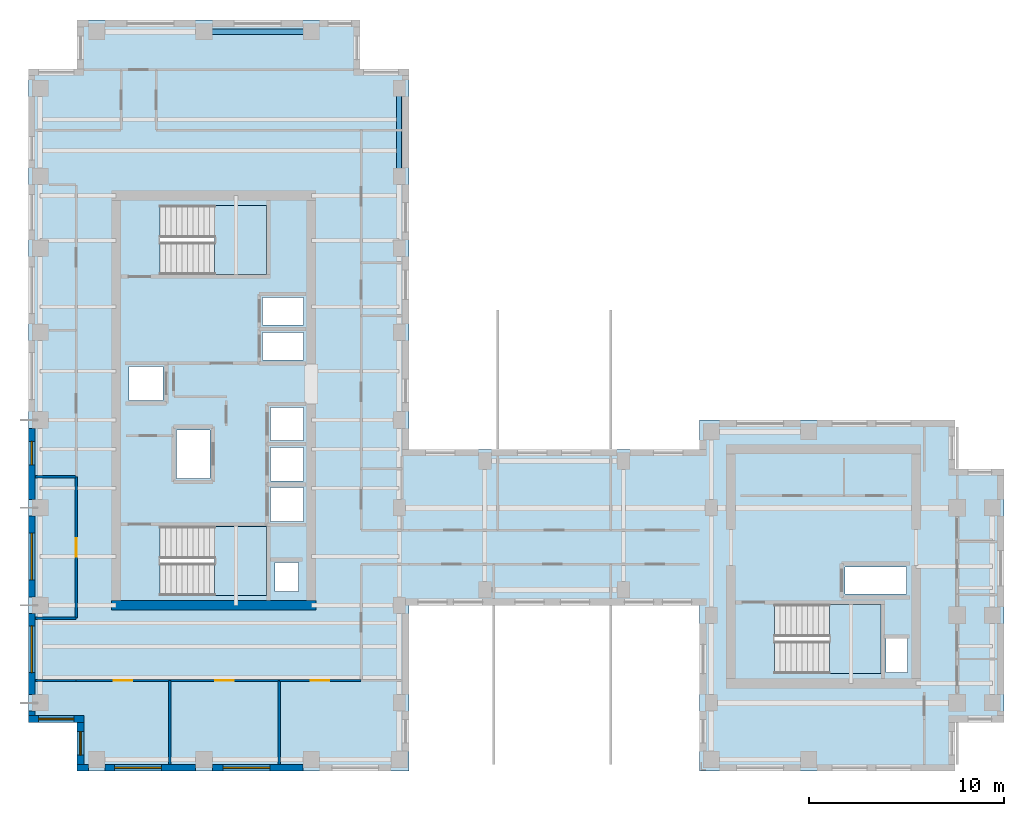
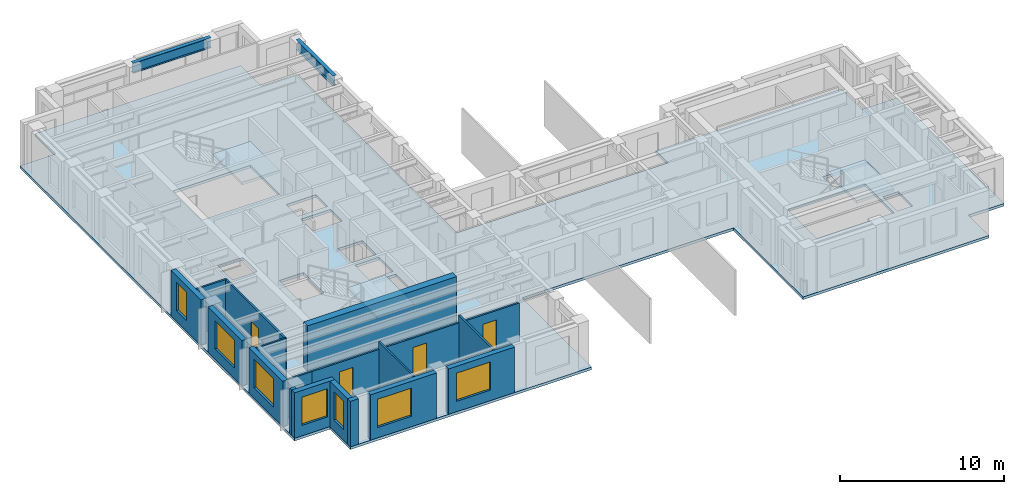
# One storey, part 2 of 10: 19 walls, 7 windows, 4 doors, 4 slabs, 2 beams, 11 openings, 3 elements without a shape of their own.
"""IFC4 building model written with IfcOpenShell, lengths in metres."""

from ifc_helpers import new_model, si_unit, direction, frame, frame_2d, origin, origin_2d, place, context, subcontext, project, spatial, polyline, rectangle, i_section, outline, extrude, source, transform, mapped, material, layer, layer_set, material_profile, profile_set, type_object, element, fill, aggregate, save


model = new_model("IFC4")

# Units and contexts
model_context = context("Model", 3, precision=1e-05, world=origin(), true_north=direction((0.0, 1.0)))
body_context = subcontext(model_context, "Body", "Model", "MODEL_VIEW")
ifc_project = project(units=[si_unit("LENGTHUNIT", "METRE"), si_unit("AREAUNIT", "SQUARE_METRE"), si_unit("VOLUMEUNIT", "CUBIC_METRE"), si_unit("PLANEANGLEUNIT", "RADIAN"), si_unit("MASSUNIT", "GRAM", prefix="KILO")], contexts=[model_context])

# Site, building, storey
site_placement = place(None, origin())
site = spatial("IfcSite", under=ifc_project, at=site_placement, CompositionType="ELEMENT")
building_placement = place(site_placement, origin())
building = spatial("IfcBuilding", under=site, at=building_placement, Name="Kharzan Plaza Tower", CompositionType="ELEMENT")
storey_placement = place(building_placement, frame((0.0, 0.0, 230.39990234375)))
storey = spatial("IfcBuildingStorey", under=building, at=storey_placement, Name="L62", CompositionType="ELEMENT", Elevation=230.39990234375)

# Beams
ifc_material_1 = material(Name="Steel S355", Category="steel")
ifc_material_profile = material_profile(ifc_material_1, i_section(OverallWidth=0.26708984375, OverallDepth=0.76611328125, WebThickness=0.014892578125, FlangeThickness=0.023681640625, at=origin_2d()), Name="W760x185")
ifc_profile_set = profile_set([ifc_material_profile], Name="Steel S355")
beam_type = type_object("IfcBeamType", Name="BM-SP760B", PredefinedType="SPANDREL", material=ifc_profile_set)
shared_shape_1 = source(origin(), body_context, "Body", "SweptSolid", [
    extrude(i_section(OverallWidth=0.26708984375, OverallDepth=0.76611328125, WebThickness=0.014892578125, FlangeThickness=0.023681640625, at=origin_2d()), origin(), (0.0, 0.0, 1.0), 4.5),
])
beam_1_placement = place(storey_placement, frame((19.0, 30.5, 3.01708984375), z_axis=(0.0, 1.0, 0.0), x_axis=(-1.0, 0.0, 0.0)))
element("IfcBeam", 1, at=beam_1_placement, inside=storey, type_object=beam_type, Name="L62 Perimeter Tube Spandrel", PredefinedType="SPANDREL", context=body_context, shape_type="MappedRepresentation", body=[
    mapped(shared_shape_1, transform((0.0, 0.0, 0.0), x_axis=(1.0, 0.0, 0.0), y_axis=(0.0, 1.0, 0.0), z_axis=(0.0, 0.0, 1.0))),
])
shared_shape_2 = source(origin(), body_context, "Body", "SweptSolid", [
    extrude(i_section(OverallWidth=0.26708984375, OverallDepth=0.76611328125, WebThickness=0.014892578125, FlangeThickness=0.023681640625, at=origin_2d()), origin(), (0.0, 0.0, 1.0), 5.5),
])
beam_2_placement = place(storey_placement, frame((9.0, 37.89990234375, 3.01708984375), z_axis=(1.0, 0.0, 0.0), x_axis=(0.0, 1.0, 0.0)))
element("IfcBeam", 2, at=beam_2_placement, inside=storey, type_object=beam_type, Name="L62 Perimeter Tube Spandrel", PredefinedType="SPANDREL", context=body_context, shape_type="MappedRepresentation", body=[
    mapped(shared_shape_2, transform((0.0, 0.0, 0.0), x_axis=(1.0, 0.0, 0.0), y_axis=(0.0, 1.0, 0.0), z_axis=(0.0, 0.0, 1.0))),
])

# Slab
ifc_material_2 = material(Name="Concrete C40/50", Category="concrete")
ifc_layer_1 = layer(ifc_material_2, 0.199951171875)
ifc_layer_set_1 = layer_set([ifc_layer_1], Name="Concrete C40/50")
slab_type_1 = type_object("IfcSlabType", Name="SL-FLOOR-200", PredefinedType="FLOOR", material=ifc_layer_set_1)
slab_1_placement = place(storey_placement, frame((0.0, 0.0, -0.199951171875)))
element("IfcSlab", 3, at=slab_1_placement, inside=storey, type_object=slab_type_1, Name="L62 Composite Structural Floor Slab 200 mm", PredefinedType="FLOOR", context=body_context, shape_type="SweptSolid", body=[
    extrude(outline(polyline([(34.39990234375, 16.5), (19.5, 16.5), (19.5, 36.0), (17.0, 36.0), (17.0, 38.5), (2.5, 38.5), (2.5, 36.0), (0.0, 36.0), (0.0, 2.5), (2.5, 2.5), (2.5, 0.0), (19.5, 0.0), (19.5, 8.5), (34.39990234375, 8.5), (34.39990234375, 0.0), (47.5, 0.0), (47.5, 2.5), (50.0, 2.5), (50.0, 15.5), (47.5, 15.5), (47.5, 18.0), (34.39990234375, 18.0), (34.39990234375, 16.5)]), holes=[polyline([(12.199951171875, 12.550048828125), (6.75, 12.550048828125), (6.75, 9.0), (12.199951171875, 9.0), (12.199951171875, 12.550048828125)]), polyline([(14.10009765625, 12.800048828125), (14.10009765625, 14.530029296875), (12.39990234375, 14.530029296875), (12.39990234375, 12.800048828125), (14.10009765625, 12.800048828125)]), polyline([(9.300048828125, 15.0), (9.300048828125, 17.5), (7.60009765625, 17.5), (7.60009765625, 15.0), (9.300048828125, 15.0)]), polyline([(6.89990234375, 20.72998046875), (5.14990234375, 20.72998046875), (5.14990234375, 19.010009765625), (6.89990234375, 19.010009765625), (6.89990234375, 20.72998046875)]), polyline([(14.10009765625, 21.070068359375), (14.10009765625, 22.489990234375), (12.0, 22.489990234375), (12.0, 21.070068359375), (14.10009765625, 21.070068359375)]), polyline([(14.10009765625, 22.8701171875), (14.10009765625, 24.2900390625), (12.0, 24.2900390625), (12.0, 22.8701171875), (14.10009765625, 22.8701171875)]), polyline([(12.199951171875, 29.0), (6.75, 29.0), (6.75, 25.449951171875), (12.199951171875, 25.449951171875), (12.199951171875, 29.0)]), polyline([(45.050048828125, 5.050048828125), (45.050048828125, 6.800048828125), (43.949951171875, 6.800048828125), (43.949951171875, 5.050048828125), (45.050048828125, 5.050048828125)]), polyline([(43.699951171875, 5.0), (43.699951171875, 8.550048828125), (38.25, 8.550048828125), (38.25, 5.0), (43.699951171875, 5.0)]), polyline([(45.0, 9.070068359375), (45.0, 10.469970703125), (41.85009765625, 10.469970703125), (41.85009765625, 9.070068359375), (45.0, 9.070068359375)]), polyline([(13.85009765625, 9.199951171875), (13.85009765625, 10.699951171875), (12.64990234375, 10.699951171875), (12.64990234375, 9.199951171875), (13.85009765625, 9.199951171875)]), polyline([(14.10009765625, 14.8701171875), (14.10009765625, 16.60009765625), (12.39990234375, 16.60009765625), (12.39990234375, 14.8701171875), (14.10009765625, 14.8701171875)]), polyline([(14.10009765625, 16.93994140625), (14.10009765625, 18.64990234375), (12.39990234375, 18.64990234375), (12.39990234375, 16.93994140625), (14.10009765625, 16.93994140625)])]), origin(), (0.0, 0.0, 1.0), 0.199951171875),
])

# Stair, slab
stair_type_1 = type_object("IfcStairType", Name="STR-ST-1", PredefinedType="HALF_TURN_STAIR", material=ifc_material_2)
stair_1_placement = place(storey_placement, origin())
stair_1 = element("IfcStair", 4, at=stair_1_placement, inside=storey, type_object=stair_type_1, Name="L62 Protected Exit Stair ST-1", PredefinedType="HALF_TURN_STAIR")
ifc_layer_2 = layer(ifc_material_2, 0.219970703125)
ifc_layer_set_2 = layer_set([ifc_layer_2], Name="Concrete C40/50")
slab_type_2 = type_object("IfcSlabType", Name="SL-LANDING-220", PredefinedType="LANDING", material=ifc_layer_set_2)
slab_2_placement = place(storey_placement, frame((0.0, 0.0, 1.60009765625)))
slab_2 = element("IfcSlab", 5, at=slab_2_placement, type_object=slab_type_2, Name="ST-1 landing 1", PredefinedType="LANDING", context=body_context, shape_type="SweptSolid", body=[
    extrude(outline(polyline([(9.550048828125, 9.0), (12.199951171875, 9.0), (12.199951171875, 12.550048828125), (9.550048828125, 12.550048828125), (9.550048828125, 9.0)])), origin(), (0.0, 0.0, 1.0), 0.199951171875),
])
aggregate(stair_1, [slab_2])

stair_type_2 = type_object("IfcStairType", Name="STR-ST-2", PredefinedType="HALF_TURN_STAIR", material=ifc_material_2)
stair_2_placement = place(storey_placement, origin())
stair_2 = element("IfcStair", 6, at=stair_2_placement, inside=storey, type_object=stair_type_2, Name="L62 Protected Exit Stair ST-2", PredefinedType="HALF_TURN_STAIR")
slab_3_placement = place(storey_placement, frame((0.0, 0.0, 1.60009765625)))
slab_3 = element("IfcSlab", 7, at=slab_3_placement, type_object=slab_type_2, Name="ST-2 landing 1", PredefinedType="LANDING", context=body_context, shape_type="SweptSolid", body=[
    extrude(outline(polyline([(9.550048828125, 25.449951171875), (12.199951171875, 25.449951171875), (12.199951171875, 29.0), (9.550048828125, 29.0), (9.550048828125, 25.449951171875)])), origin(), (0.0, 0.0, 1.0), 0.199951171875),
])
aggregate(stair_2, [slab_3])

stair_type_3 = type_object("IfcStairType", Name="STR-ST-3", PredefinedType="HALF_TURN_STAIR", material=ifc_material_2)
stair_3_placement = place(storey_placement, origin())
stair_3 = element("IfcStair", 8, at=stair_3_placement, inside=storey, type_object=stair_type_3, Name="L62 Protected Exit Stair ST-3", PredefinedType="HALF_TURN_STAIR")
slab_4_placement = place(storey_placement, frame((0.0, 0.0, 1.60009765625)))
slab_4 = element("IfcSlab", 9, at=slab_4_placement, type_object=slab_type_2, Name="ST-3 landing 1", PredefinedType="LANDING", context=body_context, shape_type="SweptSolid", body=[
    extrude(outline(polyline([(41.050048828125, 5.0), (43.699951171875, 5.0), (43.699951171875, 8.550048828125), (41.050048828125, 8.550048828125), (41.050048828125, 5.0)])), origin(), (0.0, 0.0, 1.0), 0.199951171875),
])
aggregate(stair_3, [slab_4])

# Wall, opening, window
ifc_layer_3 = layer(ifc_material_2, 0.35009765625)
ifc_layer_set_3 = layer_set([ifc_layer_3], Name="Concrete C40/50")
wall_type_1 = type_object("IfcWallType", Name="WL-EXT-MAS-Z4", PredefinedType="SOLIDWALL", material=ifc_layer_set_3)
wall_1_placement = place(storey_placement, frame((0.175048828125, 17.576904296875, 0.0), z_axis=(0.0, 0.0, 1.0), x_axis=(0.0, -1.0, 0.0)))
wall_1 = element("IfcWall", 10, at=wall_1_placement, inside=storey, type_object=wall_type_1, Name="L62 Masonry-Frame Exterior Wall 20", PredefinedType="SOLIDWALL", context=body_context, shape_type="SweptSolid", body=[
    extrude(rectangle(XDim=3.65380859375, YDim=0.35009765625, at=frame_2d((1.826904296875, 0.0))), origin(), (0.0, 0.0, 1.0), 3.385009765625),
])
opening_1_placement = place(wall_1_placement, frame((0.673583984375, 0.0, 0.780029296875)))
opening_1 = element("IfcOpeningElement", 11, at=opening_1_placement, cuts=wall_1, Name="Opening W3", PredefinedType="OPENING", context=body_context, shape_type="SweptSolid", body=[
    extrude(rectangle(XDim=1.199951171875, YDim=2.10009765625, at=frame_2d((0.60009765625, 1.050048828125))), frame((0.0, 0.18505859375, 0.0), z_axis=(0.0, -1.0, 0.0), x_axis=(1.0, 0.0, 0.0)), (0.0, 0.0, 1.0), 0.3701171875),
])
ifc_material_3 = material(Name="Low-E Double Glazing", Category="glass")
window_type_1 = type_object("IfcWindowType", Name="WN-REC-1200x2100", PartitioningType="SINGLE_PANEL", PredefinedType="WINDOW", material=ifc_material_3)
shared_shape_3 = source(origin(), body_context, "Body", "SweptSolid", [
    extrude(rectangle(XDim=1.199951171875, YDim=2.10009765625, at=frame_2d((0.60009765625, 1.050048828125))), frame((0.0, 0.030029296875, 0.0), z_axis=(0.0, -1.0, 0.0), x_axis=(1.0, 0.0, 0.0)), (0.0, 0.0, 1.0), 0.06005859375),
])
window_1_placement = place(opening_1_placement, origin())
window_1 = element("IfcWindow", 12, at=window_1_placement, inside=storey, type_object=window_type_1, Name="L62 Recessed Solar-Control Window 20-1", OverallHeight=2.10009765625, OverallWidth=1.199951171875, PartitioningType="SINGLE_PANEL", PredefinedType="WINDOW", context=body_context, shape_type="MappedRepresentation", body=[
    mapped(shared_shape_3, transform((0.0, 0.0, 0.0), x_axis=(1.0, 0.0, 0.0), y_axis=(0.0, 1.0, 0.0), z_axis=(0.0, 0.0, 1.0))),
])
fill(opening_1, window_1)

wall_2_placement = place(storey_placement, frame((0.175048828125, 13.076904296875, 0.0), z_axis=(0.0, 0.0, 1.0), x_axis=(0.0, -1.0, 0.0)))
wall_2 = element("IfcWall", 13, at=wall_2_placement, inside=storey, type_object=wall_type_1, Name="L62 Masonry-Frame Exterior Wall 21", PredefinedType="SOLIDWALL", context=body_context, shape_type="SweptSolid", body=[
    extrude(rectangle(XDim=4.15380859375, YDim=0.35009765625, at=frame_2d((2.076904296875, 0.0))), origin(), (0.0, 0.0, 1.0), 3.385009765625),
])
opening_2_placement = place(wall_2_placement, frame((0.876953125, 0.0, 0.780029296875)))
opening_2 = element("IfcOpeningElement", 14, at=opening_2_placement, cuts=wall_2, Name="Opening W2", PredefinedType="OPENING", context=body_context, shape_type="SweptSolid", body=[
    extrude(rectangle(XDim=2.39990234375, YDim=2.10009765625, at=frame_2d((1.199951171875, 1.050048828125))), frame((0.0, 0.18505859375, 0.0), z_axis=(0.0, -1.0, 0.0), x_axis=(1.0, 0.0, 0.0)), (0.0, 0.0, 1.0), 0.3701171875),
])
window_type_2 = type_object("IfcWindowType", Name="WN-REC-2400x2100", PartitioningType="SINGLE_PANEL", PredefinedType="WINDOW", material=ifc_material_3)
shared_shape_4 = source(origin(), body_context, "Body", "SweptSolid", [
    extrude(rectangle(XDim=2.39990234375, YDim=2.10009765625, at=frame_2d((1.199951171875, 1.050048828125))), frame((0.0, 0.030029296875, 0.0), z_axis=(0.0, -1.0, 0.0), x_axis=(1.0, 0.0, 0.0)), (0.0, 0.0, 1.0), 0.06005859375),
])
window_2_placement = place(opening_2_placement, origin())
window_2 = element("IfcWindow", 15, at=window_2_placement, inside=storey, type_object=window_type_2, Name="L62 Wide Recessed Solar-Control Window 21-1", OverallHeight=2.10009765625, OverallWidth=2.39990234375, PartitioningType="SINGLE_PANEL", PredefinedType="WINDOW", context=body_context, shape_type="MappedRepresentation", body=[
    mapped(shared_shape_4, transform((0.0, 0.0, 0.0), x_axis=(1.0, 0.0, 0.0), y_axis=(0.0, 1.0, 0.0), z_axis=(0.0, 0.0, 1.0))),
])
fill(opening_2, window_2)

wall_3_placement = place(storey_placement, frame((0.175048828125, 8.076904296875, 0.0), z_axis=(0.0, 0.0, 1.0), x_axis=(0.0, -1.0, 0.0)))
wall_3 = element("IfcWall", 16, at=wall_3_placement, inside=storey, type_object=wall_type_1, Name="L62 Masonry-Frame Exterior Wall 22", PredefinedType="SOLIDWALL", context=body_context, shape_type="SweptSolid", body=[
    extrude(rectangle(XDim=4.15380859375, YDim=0.35009765625, at=frame_2d((2.076904296875, 0.0))), origin(), (0.0, 0.0, 1.0), 3.385009765625),
])
opening_3_placement = place(wall_3_placement, frame((0.626953125, 0.0, 0.780029296875)))
opening_3 = element("IfcOpeningElement", 17, at=opening_3_placement, cuts=wall_3, Name="Opening W2", PredefinedType="OPENING", context=body_context, shape_type="SweptSolid", body=[
    extrude(rectangle(XDim=2.39990234375, YDim=2.10009765625, at=frame_2d((1.199951171875, 1.050048828125))), frame((0.0, 0.18505859375, 0.0), z_axis=(0.0, -1.0, 0.0), x_axis=(1.0, 0.0, 0.0)), (0.0, 0.0, 1.0), 0.3701171875),
])
window_3_placement = place(opening_3_placement, origin())
window_3 = element("IfcWindow", 18, at=window_3_placement, inside=storey, type_object=window_type_2, Name="L62 Wide Recessed Solar-Control Window 22-1", OverallHeight=2.10009765625, OverallWidth=2.39990234375, PartitioningType="SINGLE_PANEL", PredefinedType="WINDOW", context=body_context, shape_type="MappedRepresentation", body=[
    mapped(shared_shape_4, transform((0.0, 0.0, 0.0), x_axis=(1.0, 0.0, 0.0), y_axis=(0.0, 1.0, 0.0), z_axis=(0.0, 0.0, 1.0))),
])
fill(opening_3, window_3)

wall_4_placement = place(storey_placement, frame((0.0, 2.675048828125, 0.0), z_axis=(0.0, 0.0, 1.0), x_axis=(1.0, 0.0, 0.0)))
wall_4 = element("IfcWall", 19, at=wall_4_placement, inside=storey, type_object=wall_type_1, Name="L62 Masonry-Frame Exterior Wall 24", PredefinedType="SOLIDWALL", context=body_context, shape_type="SweptSolid", body=[
    extrude(rectangle(XDim=2.85009765625, YDim=0.35009765625, at=frame_2d((1.425048828125, 0.0))), origin(), (0.0, 0.0, 1.0), 3.385009765625),
])
opening_4_placement = place(wall_4_placement, frame((0.52490234375, 0.0, 0.780029296875)))
opening_4 = element("IfcOpeningElement", 20, at=opening_4_placement, cuts=wall_4, Name="Opening W1", PredefinedType="OPENING", context=body_context, shape_type="SweptSolid", body=[
    extrude(rectangle(XDim=1.800048828125, YDim=2.10009765625, at=frame_2d((0.89990234375, 1.050048828125))), frame((0.0, 0.18505859375, 0.0), z_axis=(0.0, -1.0, 0.0), x_axis=(1.0, 0.0, 0.0)), (0.0, 0.0, 1.0), 0.3701171875),
])
window_type_3 = type_object("IfcWindowType", Name="WN-REC-1800x2100", PartitioningType="SINGLE_PANEL", PredefinedType="WINDOW", material=ifc_material_3)
shared_shape_5 = source(origin(), body_context, "Body", "SweptSolid", [
    extrude(rectangle(XDim=1.800048828125, YDim=2.10009765625, at=frame_2d((0.89990234375, 1.050048828125))), frame((0.0, 0.030029296875, 0.0), z_axis=(0.0, -1.0, 0.0), x_axis=(1.0, 0.0, 0.0)), (0.0, 0.0, 1.0), 0.06005859375),
])
window_4_placement = place(opening_4_placement, origin())
window_4 = element("IfcWindow", 21, at=window_4_placement, inside=storey, type_object=window_type_3, Name="L62 Recessed Solar-Control Window 24-1", OverallHeight=2.10009765625, OverallWidth=1.800048828125, PartitioningType="SINGLE_PANEL", PredefinedType="WINDOW", context=body_context, shape_type="MappedRepresentation", body=[
    mapped(shared_shape_5, transform((0.0, 0.0, 0.0), x_axis=(1.0, 0.0, 0.0), y_axis=(0.0, 1.0, 0.0), z_axis=(0.0, 0.0, 1.0))),
])
fill(opening_4, window_4)

wall_5_placement = place(storey_placement, frame((2.675048828125, 2.501953125, 0.0), z_axis=(0.0, 0.0, 1.0), x_axis=(0.0, -1.0, 0.0)))
wall_5 = element("IfcWall", 22, at=wall_5_placement, inside=storey, type_object=wall_type_1, Name="L62 Masonry-Frame Exterior Wall 25", PredefinedType="SOLIDWALL", context=body_context, shape_type="SweptSolid", body=[
    extrude(rectangle(XDim=2.154052734375, YDim=0.35009765625, at=frame_2d((1.0771484375, 0.0))), origin(), (0.0, 0.0, 1.0), 3.385009765625),
])
opening_5_placement = place(wall_5_placement, frame((0.47705078125, 0.0, 0.780029296875)))
opening_5 = element("IfcOpeningElement", 23, at=opening_5_placement, cuts=wall_5, Name="Opening W3", PredefinedType="OPENING", context=body_context, shape_type="SweptSolid", body=[
    extrude(rectangle(XDim=1.199951171875, YDim=2.10009765625, at=frame_2d((0.60009765625, 1.050048828125))), frame((0.0, 0.18505859375, 0.0), z_axis=(0.0, -1.0, 0.0), x_axis=(1.0, 0.0, 0.0)), (0.0, 0.0, 1.0), 0.3701171875),
])
window_5_placement = place(opening_5_placement, origin())
window_5 = element("IfcWindow", 24, at=window_5_placement, inside=storey, type_object=window_type_1, Name="L62 Recessed Solar-Control Window 25-1", OverallHeight=2.10009765625, OverallWidth=1.199951171875, PartitioningType="SINGLE_PANEL", PredefinedType="WINDOW", context=body_context, shape_type="MappedRepresentation", body=[
    mapped(shared_shape_3, transform((0.0, 0.0, 0.0), x_axis=(1.0, 0.0, 0.0), y_axis=(0.0, 1.0, 0.0), z_axis=(0.0, 0.0, 1.0))),
])
fill(opening_5, window_5)

wall_6_placement = place(storey_placement, frame((3.923095703125, 0.175048828125, 0.0), z_axis=(0.0, 0.0, 1.0), x_axis=(1.0, 0.0, 0.0)))
wall_6 = element("IfcWall", 25, at=wall_6_placement, inside=storey, type_object=wall_type_1, Name="L62 Masonry-Frame Exterior Wall 27", PredefinedType="SOLIDWALL", context=body_context, shape_type="SweptSolid", body=[
    extrude(rectangle(XDim=4.65380859375, YDim=0.35009765625, at=frame_2d((2.326904296875, 0.0))), origin(), (0.0, 0.0, 1.0), 3.385009765625),
])
opening_6_placement = place(wall_6_placement, frame((0.490478515625, 0.0, 0.780029296875)))
opening_6 = element("IfcOpeningElement", 26, at=opening_6_placement, cuts=wall_6, Name="Opening W2", PredefinedType="OPENING", context=body_context, shape_type="SweptSolid", body=[
    extrude(rectangle(XDim=2.39990234375, YDim=2.10009765625, at=frame_2d((1.199951171875, 1.050048828125))), frame((0.0, 0.18505859375, 0.0), z_axis=(0.0, -1.0, 0.0), x_axis=(1.0, 0.0, 0.0)), (0.0, 0.0, 1.0), 0.3701171875),
])
window_6_placement = place(opening_6_placement, origin())
window_6 = element("IfcWindow", 27, at=window_6_placement, inside=storey, type_object=window_type_2, Name="L62 Wide Recessed Solar-Control Window 27-1", OverallHeight=2.10009765625, OverallWidth=2.39990234375, PartitioningType="SINGLE_PANEL", PredefinedType="WINDOW", context=body_context, shape_type="MappedRepresentation", body=[
    mapped(shared_shape_4, transform((0.0, 0.0, 0.0), x_axis=(1.0, 0.0, 0.0), y_axis=(0.0, 1.0, 0.0), z_axis=(0.0, 0.0, 1.0))),
])
fill(opening_6, window_6)

wall_7_placement = place(storey_placement, frame((9.423095703125, 0.175048828125, 0.0), z_axis=(0.0, 0.0, 1.0), x_axis=(1.0, 0.0, 0.0)))
wall_7 = element("IfcWall", 28, at=wall_7_placement, inside=storey, type_object=wall_type_1, Name="L62 Masonry-Frame Exterior Wall 28", PredefinedType="SOLIDWALL", context=body_context, shape_type="SweptSolid", body=[
    extrude(rectangle(XDim=4.65380859375, YDim=0.35009765625, at=frame_2d((2.326904296875, 0.0))), origin(), (0.0, 0.0, 1.0), 3.385009765625),
])
opening_7_placement = place(wall_7_placement, frame((0.553955078125, 0.0, 0.780029296875)))
opening_7 = element("IfcOpeningElement", 29, at=opening_7_placement, cuts=wall_7, Name="Opening W2", PredefinedType="OPENING", context=body_context, shape_type="SweptSolid", body=[
    extrude(rectangle(XDim=2.39990234375, YDim=2.10009765625, at=frame_2d((1.199951171875, 1.050048828125))), frame((0.0, 0.18505859375, 0.0), z_axis=(0.0, -1.0, 0.0), x_axis=(1.0, 0.0, 0.0)), (0.0, 0.0, 1.0), 0.3701171875),
])
window_7_placement = place(opening_7_placement, origin())
window_7 = element("IfcWindow", 30, at=window_7_placement, inside=storey, type_object=window_type_2, Name="L62 Wide Recessed Solar-Control Window 28-1", OverallHeight=2.10009765625, OverallWidth=2.39990234375, PartitioningType="SINGLE_PANEL", PredefinedType="WINDOW", context=body_context, shape_type="MappedRepresentation", body=[
    mapped(shared_shape_4, transform((0.0, 0.0, 0.0), x_axis=(1.0, 0.0, 0.0), y_axis=(0.0, 1.0, 0.0), z_axis=(0.0, 0.0, 1.0))),
])
fill(opening_7, window_7)

# Wall, opening, door
ifc_material_4 = material(Name="Fire-Rated Gypsum Board Partition", Category="gypsum")
ifc_layer_4 = layer(ifc_material_4, 0.125)
ifc_layer_set_4 = layer_set([ifc_layer_4], Name="Fire-Rated Gypsum Board Partition")
wall_type_2 = type_object("IfcWallType", Name="WL-INT-PART-125", PredefinedType="PARTITIONING", material=ifc_layer_set_4)
wall_8_placement = place(storey_placement, frame((2.449951171875, 4.64990234375, 0.0), z_axis=(0.0, 0.0, 1.0), x_axis=(1.0, 0.0, 0.0)))
wall_8 = element("IfcWall", 31, at=wall_8_placement, inside=storey, type_object=wall_type_2, Name="L62 Interior Partition SH-SS-1", PredefinedType="PARTITIONING", context=body_context, shape_type="SweptSolid", body=[
    extrude(rectangle(XDim=4.783935546875, YDim=0.125, at=frame_2d((2.39208984375, 0.0))), origin(), (0.0, 0.0, 1.0), 2.84814453125),
])
opening_8_placement = place(wall_8_placement, frame((1.9169921875, 0.0, 0.0)))
opening_8 = element("IfcOpeningElement", 32, at=opening_8_placement, cuts=wall_8, Name="Opening OD1", PredefinedType="OPENING", context=body_context, shape_type="SweptSolid", body=[
    extrude(rectangle(XDim=0.949951171875, YDim=2.14990234375, at=frame_2d((0.47509765625, 1.074951171875))), frame((0.0, 0.072509765625, 0.0), z_axis=(0.0, -1.0, 0.0), x_axis=(1.0, 0.0, 0.0)), (0.0, 0.0, 1.0), 0.14501953125),
])
ifc_material_5 = material(Name="Acoustic Solid-Core Stained Oak", Category="timber")
door_type = type_object("IfcDoorType", Name="DR-OFF-SINGLE", OperationType="NOTDEFINED", PredefinedType="DOOR", material=ifc_material_5)
shared_shape_6 = source(origin(), body_context, "Body", "SweptSolid", [
    extrude(rectangle(XDim=0.949951171875, YDim=2.14990234375, at=frame_2d((0.47509765625, 1.074951171875))), frame((0.0, 0.02490234375, 0.0), z_axis=(0.0, -1.0, 0.0), x_axis=(1.0, 0.0, 0.0)), (0.0, 0.0, 1.0), 0.050048828125),
])
door_1_placement = place(opening_8_placement, origin())
door_1 = element("IfcDoor", 33, at=door_1_placement, inside=storey, type_object=door_type, Name="L62 Lab Safety Briefing Room Door", OperationType="SINGLE_SWING_RIGHT", OverallHeight=2.14990234375, OverallWidth=0.949951171875, PredefinedType="DOOR", context=body_context, shape_type="MappedRepresentation", body=[
    mapped(shared_shape_6, transform((0.0, 0.0, 0.0), x_axis=(1.0, 0.0, 0.0), y_axis=(0.0, 1.0, 0.0), z_axis=(0.0, 0.0, 1.0))),
])
fill(opening_8, door_1)

wall_9_placement = place(storey_placement, frame((7.23388671875, 4.64990234375, 0.0), z_axis=(0.0, 0.0, 1.0), x_axis=(1.0, 0.0, 0.0)))
wall_9 = element("IfcWall", 34, at=wall_9_placement, inside=storey, type_object=wall_type_2, Name="L62 Interior Partition SH-SS-2", PredefinedType="PARTITIONING", context=body_context, shape_type="SweptSolid", body=[
    extrude(rectangle(XDim=5.627197265625, YDim=0.125, at=frame_2d((2.8134765625, 0.0))), origin(), (0.0, 0.0, 1.0), 2.84814453125),
])
opening_9_placement = place(wall_9_placement, frame((2.33837890625, 0.0, 0.0)))
opening_9 = element("IfcOpeningElement", 35, at=opening_9_placement, cuts=wall_9, Name="Opening OD1", PredefinedType="OPENING", context=body_context, shape_type="SweptSolid", body=[
    extrude(rectangle(XDim=0.949951171875, YDim=2.14990234375, at=frame_2d((0.47509765625, 1.074951171875))), frame((0.0, 0.072509765625, 0.0), z_axis=(0.0, -1.0, 0.0), x_axis=(1.0, 0.0, 0.0)), (0.0, 0.0, 1.0), 0.14501953125),
])
door_2_placement = place(opening_9_placement, origin())
door_2 = element("IfcDoor", 36, at=door_2_placement, inside=storey, type_object=door_type, Name="L62 Data Processing Office Door", OperationType="SINGLE_SWING_LEFT", OverallHeight=2.14990234375, OverallWidth=0.949951171875, PredefinedType="DOOR", context=body_context, shape_type="MappedRepresentation", body=[
    mapped(shared_shape_6, transform((0.0, 0.0, 0.0), x_axis=(1.0, 0.0, 0.0), y_axis=(0.0, 1.0, 0.0), z_axis=(0.0, 0.0, 1.0))),
])
fill(opening_9, door_2)

wall_10_placement = place(storey_placement, frame((12.861083984375, 4.64990234375, 0.0), z_axis=(0.0, 0.0, 1.0), x_axis=(1.0, 0.0, 0.0)))
wall_10 = element("IfcWall", 37, at=wall_10_placement, inside=storey, type_object=wall_type_2, Name="L62 Interior Partition SH-SS-3", PredefinedType="PARTITIONING", context=body_context, shape_type="SweptSolid", body=[
    extrude(rectangle(XDim=4.18896484375, YDim=0.125, at=frame_2d((2.094482421875, 0.0))), origin(), (0.0, 0.0, 1.0), 2.84814453125),
])
opening_10_placement = place(wall_10_placement, frame((1.619384765625, 0.0, 0.0)))
opening_10 = element("IfcOpeningElement", 38, at=opening_10_placement, cuts=wall_10, Name="Opening OD1", PredefinedType="OPENING", context=body_context, shape_type="SweptSolid", body=[
    extrude(rectangle(XDim=0.949951171875, YDim=2.14990234375, at=frame_2d((0.47509765625, 1.074951171875))), frame((0.0, 0.072509765625, 0.0), z_axis=(0.0, -1.0, 0.0), x_axis=(1.0, 0.0, 0.0)), (0.0, 0.0, 1.0), 0.14501953125),
])
door_3_placement = place(opening_10_placement, origin())
door_3 = element("IfcDoor", 39, at=door_3_placement, inside=storey, type_object=door_type, Name="L62 Staff Tea Pantry Door", OperationType="SINGLE_SWING_RIGHT", OverallHeight=2.14990234375, OverallWidth=0.949951171875, PredefinedType="DOOR", context=body_context, shape_type="MappedRepresentation", body=[
    mapped(shared_shape_6, transform((0.0, 0.0, 0.0), x_axis=(1.0, 0.0, 0.0), y_axis=(0.0, 1.0, 0.0), z_axis=(0.0, 0.0, 1.0))),
])
fill(opening_10, door_3)

wall_11_placement = place(storey_placement, frame((2.449951171875, 7.85009765625, 0.0), z_axis=(0.0, 0.0, 1.0), x_axis=(0.0, 1.0, 0.0)))
wall_11 = element("IfcWall", 40, at=wall_11_placement, inside=storey, type_object=wall_type_2, Name="L62 Interior Partition SH-WW-1", PredefinedType="PARTITIONING", context=body_context, shape_type="SweptSolid", body=[
    extrude(rectangle(XDim=7.25, YDim=0.125, at=frame_2d((3.625, 0.0))), origin(), (0.0, 0.0, 1.0), 3.385009765625),
])
opening_11_placement = place(wall_11_placement, frame((3.14990234375, 0.0, 0.0)))
opening_11 = element("IfcOpeningElement", 41, at=opening_11_placement, cuts=wall_11, Name="Opening OD1", PredefinedType="OPENING", context=body_context, shape_type="SweptSolid", body=[
    extrude(rectangle(XDim=0.949951171875, YDim=2.14990234375, at=frame_2d((0.47509765625, 1.074951171875))), frame((0.0, 0.072509765625, 0.0), z_axis=(0.0, -1.0, 0.0), x_axis=(1.0, 0.0, 0.0)), (0.0, 0.0, 1.0), 0.14501953125),
])
door_4_placement = place(opening_11_placement, origin())
door_4 = element("IfcDoor", 42, at=door_4_placement, inside=storey, type_object=door_type, Name="L62 Technical Equipment Store Door", OperationType="SINGLE_SWING_LEFT", OverallHeight=2.14990234375, OverallWidth=0.949951171875, PredefinedType="DOOR", context=body_context, shape_type="MappedRepresentation", body=[
    mapped(shared_shape_6, transform((0.0, 0.0, 0.0), x_axis=(1.0, 0.0, 0.0), y_axis=(0.0, 1.0, 0.0), z_axis=(0.0, 0.0, 1.0))),
])
fill(opening_11, door_4)

# Walls
shared_shape_7 = source(origin(), body_context, "Body", "SweptSolid", [
    extrude(rectangle(XDim=2.097900390625, YDim=0.125, at=frame_2d((1.048828125, 0.0))), origin(), (0.0, 0.0, 1.0), 3.385009765625),
])
for number, where, z_axis, x_axis, name in (
    (43, (0.35205078125, 7.85009765625, 0.0), (0.0, 0.0, 1.0), (1.0, 0.0, 0.0), "L62 Interior Partition SH-RWS0"),
    (44, (0.35205078125, 15.10009765625, 0.0), (0.0, 0.0, 1.0), (1.0, 0.0, 0.0), "L62 Interior Partition SH-WH-1"),
):
    element("IfcWall", number, at=place(storey_placement, frame(where, z_axis=z_axis, x_axis=x_axis)), inside=storey, type_object=wall_type_2, Name=name, PredefinedType="PARTITIONING", context=body_context, shape_type="MappedRepresentation", body=[
        mapped(shared_shape_7, transform((0.0, 0.0, 0.0), x_axis=(1.0, 0.0, 0.0), y_axis=(0.0, 1.0, 0.0), z_axis=(0.0, 0.0, 1.0))),
    ])
shared_shape_8 = source(origin(), body_context, "Body", "SweptSolid", [
    extrude(rectangle(XDim=4.2978515625, YDim=0.125, at=frame_2d((2.14892578125, 0.0))), origin(), (0.0, 0.0, 1.0), 3.385009765625),
])
for number, where, z_axis, x_axis, name in (
    (45, (7.23388671875, 0.35205078125, 0.0), (0.0, 0.0, 1.0), (0.0, 1.0, 0.0), "L62 Interior Partition SH-SV-1"),
    (46, (12.861083984375, 0.35205078125, 0.0), (0.0, 0.0, 1.0), (0.0, 1.0, 0.0), "L62 Interior Partition SH-SV-2"),
):
    element("IfcWall", number, at=place(storey_placement, frame(where, z_axis=z_axis, x_axis=x_axis)), inside=storey, type_object=wall_type_2, Name=name, PredefinedType="PARTITIONING", context=body_context, shape_type="MappedRepresentation", body=[
        mapped(shared_shape_8, transform((0.0, 0.0, 0.0), x_axis=(1.0, 0.0, 0.0), y_axis=(0.0, 1.0, 0.0), z_axis=(0.0, 0.0, 1.0))),
    ])
shared_shape_9 = source(origin(), body_context, "Body", "SweptSolid", [
    extrude(rectangle(XDim=2.097900390625, YDim=0.125, at=frame_2d((1.048828125, 0.0))), origin(), (0.0, 0.0, 1.0), 2.84814453125),
])
wall_12_placement = place(storey_placement, frame((0.35205078125, 4.64990234375, 0.0), z_axis=(0.0, 0.0, 1.0), x_axis=(1.0, 0.0, 0.0)))
element("IfcWall", 47, at=wall_12_placement, inside=storey, type_object=wall_type_2, Name="L62 Interior Partition SH-SS-EXT", PredefinedType="PARTITIONING", context=body_context, shape_type="MappedRepresentation", body=[
    mapped(shared_shape_9, transform((0.0, 0.0, 0.0), x_axis=(1.0, 0.0, 0.0), y_axis=(0.0, 1.0, 0.0), z_axis=(0.0, 0.0, 1.0))),
])
ifc_material_6 = material(Name="Concrete C50/60", Category="concrete")
ifc_layer_5 = layer(ifc_material_6, 0.5)
ifc_layer_set_5 = layer_set([ifc_layer_5], Name="Concrete C50/60")
wall_type_3 = type_object("IfcWallType", Name="WL-CORE-500", PredefinedType="SHEAR", material=ifc_layer_set_5)
shared_shape_10 = source(origin(), body_context, "Body", "SweptSolid", [
    extrude(rectangle(XDim=10.5, YDim=0.5, at=frame_2d((5.25, 0.0))), origin(), (0.0, 0.0, 1.0), 3.400146484375),
])
wall_13_placement = place(storey_placement, frame((4.25, 8.5, 0.0), z_axis=(0.0, 0.0, 1.0), x_axis=(1.0, 0.0, 0.0)))
element("IfcWall", 48, at=wall_13_placement, inside=storey, type_object=wall_type_3, Name="L62 CORE-A south RC shear wall", PredefinedType="SHEAR", context=body_context, shape_type="MappedRepresentation", body=[
    mapped(shared_shape_10, transform((0.0, 0.0, 0.0), x_axis=(1.0, 0.0, 0.0), y_axis=(0.0, 1.0, 0.0), z_axis=(0.0, 0.0, 1.0))),
])
shared_shape_11 = source(origin(), body_context, "Body", "SweptSolid", [
    extrude(rectangle(XDim=0.576904296875, YDim=0.35009765625, at=frame_2d((0.28857421875, 0.0))), origin(), (0.0, 0.0, 1.0), 3.385009765625),
])
wall_14_placement = place(storey_placement, frame((2.5, 0.175048828125, 0.0), z_axis=(0.0, 0.0, 1.0), x_axis=(1.0, 0.0, 0.0)))
element("IfcWall", 49, at=wall_14_placement, inside=storey, type_object=wall_type_1, Name="L62 Masonry-Frame Exterior Wall 26", PredefinedType="SOLIDWALL", context=body_context, shape_type="MappedRepresentation", body=[
    mapped(shared_shape_11, transform((0.0, 0.0, 0.0), x_axis=(1.0, 0.0, 0.0), y_axis=(0.0, 1.0, 0.0), z_axis=(0.0, 0.0, 1.0))),
])
shared_shape_12 = source(origin(), body_context, "Body", "SweptSolid", [
    extrude(rectangle(XDim=0.22900390625, YDim=0.35009765625, at=frame_2d((0.114501953125, 0.0))), origin(), (0.0, 0.0, 1.0), 3.385009765625),
])
wall_15_placement = place(storey_placement, frame((0.175048828125, 3.076904296875, 0.0), z_axis=(0.0, 0.0, 1.0), x_axis=(0.0, -1.0, 0.0)))
element("IfcWall", 50, at=wall_15_placement, inside=storey, type_object=wall_type_1, Name="L62 Masonry-Frame Exterior Wall 23", PredefinedType="SOLIDWALL", context=body_context, shape_type="MappedRepresentation", body=[
    mapped(shared_shape_12, transform((0.0, 0.0, 0.0), x_axis=(1.0, 0.0, 0.0), y_axis=(0.0, 1.0, 0.0), z_axis=(0.0, 0.0, 1.0))),
])

save(model, "model.ifc")
